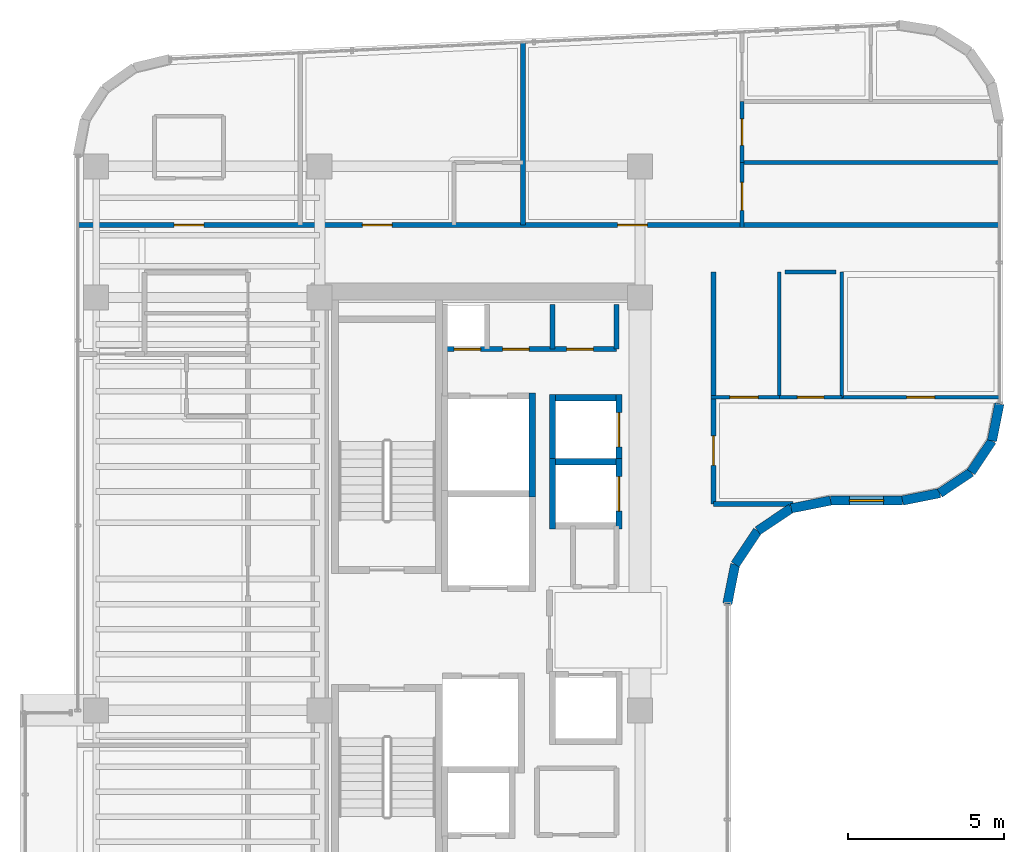
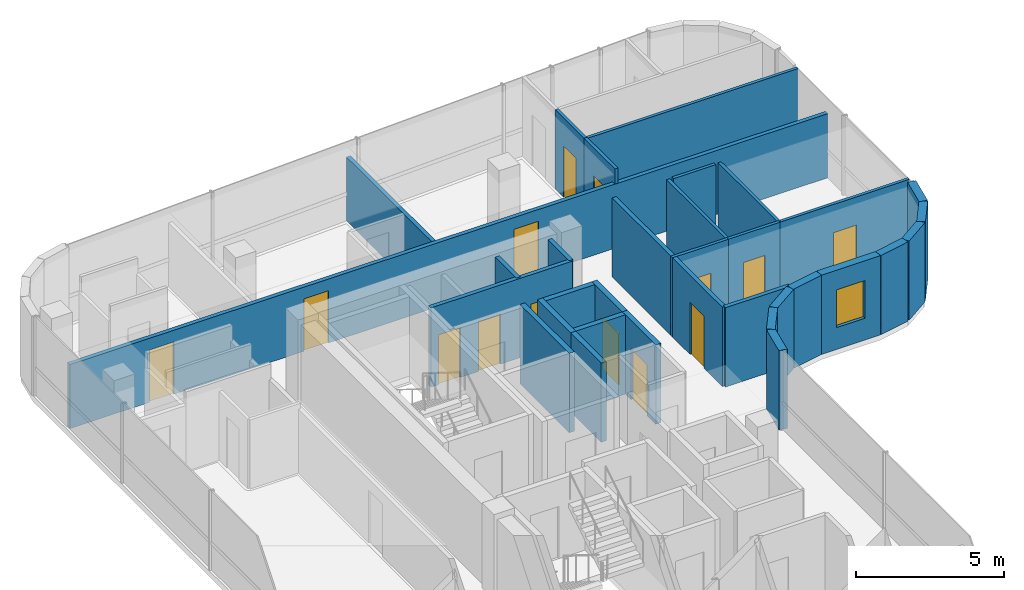
# One storey, part 16 of 19: 32 walls, 14 doors, 1 window, 15 openings.
"""IFC4 building model written with IfcOpenShell, lengths in metres."""

from ifc_helpers import new_model, si_unit, direction, frame, frame_2d, origin, place, context, subcontext, project, spatial, rectangle, extrude, material, layer, layer_set, type_object, element, fill, save


model = new_model("IFC4")

# Units and contexts
model_context = context("Model", 3, precision=1e-05, world=origin(), true_north=direction((0.0, 1.0)))
body_context = subcontext(model_context, "Body", "Model", "MODEL_VIEW")
ifc_project = project(units=[si_unit("LENGTHUNIT", "METRE"), si_unit("AREAUNIT", "SQUARE_METRE"), si_unit("VOLUMEUNIT", "CUBIC_METRE"), si_unit("PLANEANGLEUNIT", "RADIAN"), si_unit("MASSUNIT", "GRAM", prefix="KILO")], contexts=[model_context])

# Site, building, storey
site_placement = place(None, origin())
site = spatial("IfcSite", under=ifc_project, at=site_placement, CompositionType="ELEMENT")
building_placement = place(site_placement, origin())
building = spatial("IfcBuilding", under=site, at=building_placement, Name="Valdorenza Pilgrim Sanctuary Tower", CompositionType="ELEMENT")
storey_placement = place(building_placement, frame((0.0, 0.0, 266.0)))
storey = spatial("IfcBuildingStorey", under=building, at=storey_placement, Name="L69", CompositionType="ELEMENT", Elevation=266.0)

# Wall, openings, doors
ifc_material_1 = material(Name="Acoustic twin-stud gypsum partition", Category="gypsum")
ifc_layer_1 = layer(ifc_material_1, 0.159912109375, Name="Acoustic twin-stud gypsum partition")
ifc_layer_set_1 = layer_set([ifc_layer_1], Name="Acoustic twin-stud gypsum partition")
wall_type_1 = type_object("IfcWallType", Name="WAL-COR-160", PredefinedType="PARTITIONING", material=ifc_layer_set_1)
wall_1_placement = place(storey_placement, frame((-18.64990234375, 8.949951171875, 0.0), z_axis=(0.0, 0.0, 1.0), x_axis=(1.0, 0.0, 0.0)))
wall_1 = element("IfcWall", 1, at=wall_1_placement, inside=storey, type_object=wall_type_1, Name="L69 Core A North Service South Wall", PredefinedType="PARTITIONING", context=body_context, shape_type="SweptSolid", body=[
    extrude(rectangle(XDim=5.5, YDim=0.159912109375, at=frame_2d((2.75, 0.0))), origin(), (0.0, 0.0, 1.0), 3.260009765625),
])
opening_1_placement = place(wall_1_placement, frame((0.300048828125, 0.0, 0.0)))
opening_1 = element("IfcOpeningElement", 2, at=opening_1_placement, cuts=wall_1, Name="Opening DR-RS1", PredefinedType="OPENING", context=body_context, shape_type="SweptSolid", body=[
    extrude(rectangle(XDim=0.85009765625, YDim=2.050048828125, at=frame_2d((0.425048828125, 1.02490234375))), frame((0.0, 0.0947265625, 0.0), z_axis=(0.0, -1.0, 0.0), x_axis=(1.0, 0.0, 0.0)), (0.0, 0.0, 1.0), 0.189697265625),
])
opening_2_placement = place(wall_1_placement, frame((1.85009765625, 0.0, 0.0)))
opening_2 = element("IfcOpeningElement", 3, at=opening_2_placement, cuts=wall_1, Name="Opening DR-RS1", PredefinedType="OPENING", context=body_context, shape_type="SweptSolid", body=[
    extrude(rectangle(XDim=0.85009765625, YDim=2.050048828125, at=frame_2d((0.425048828125, 1.02490234375))), frame((0.0, 0.0947265625, 0.0), z_axis=(0.0, -1.0, 0.0), x_axis=(1.0, 0.0, 0.0)), (0.0, 0.0, 1.0), 0.189697265625),
])
opening_3_placement = place(wall_1_placement, frame((3.89990234375, 0.0, 0.0)))
opening_3 = element("IfcOpeningElement", 4, at=opening_3_placement, cuts=wall_1, Name="Opening DR-RS1", PredefinedType="OPENING", context=body_context, shape_type="SweptSolid", body=[
    extrude(rectangle(XDim=0.85009765625, YDim=2.050048828125, at=frame_2d((0.425048828125, 1.02490234375))), frame((0.0, 0.0947265625, 0.0), z_axis=(0.0, -1.0, 0.0), x_axis=(1.0, 0.0, 0.0)), (0.0, 0.0, 1.0), 0.189697265625),
])
ifc_material_2 = material(Name="Painted galvanized steel", Category="steel")
door_type_1 = type_object("IfcDoorType", Name="DR-RSR-850", OperationType="NOTDEFINED", PredefinedType="DOOR", material=ifc_material_2)
door_1_placement = place(opening_1_placement, origin())
door_1 = element("IfcDoor", 5, at=door_1_placement, inside=storey, type_object=door_type_1, Name="L69 Core Electrical and Telecom Riser Door", OperationType="SINGLE_SWING_LEFT", OverallHeight=2.050048828125, OverallWidth=0.85009765625, PredefinedType="DOOR", context=body_context, shape_type="SweptSolid", body=[
    extrude(rectangle(XDim=0.85009765625, YDim=2.050048828125, at=frame_2d((0.425048828125, 1.02490234375))), frame((0.0, 0.02490234375, 0.0), z_axis=(0.0, -1.0, 0.0), x_axis=(1.0, 0.0, 0.0)), (0.0, 0.0, 1.0), 0.050048828125),
])
fill(opening_1, door_1)
door_2_placement = place(opening_2_placement, origin())
door_2 = element("IfcDoor", 6, at=door_2_placement, inside=storey, type_object=door_type_1, Name="L69 Housekeeping and Clean Linen Room Door", OperationType="SINGLE_SWING_RIGHT", OverallHeight=2.050048828125, OverallWidth=0.85009765625, PredefinedType="DOOR", context=body_context, shape_type="SweptSolid", body=[
    extrude(rectangle(XDim=0.85009765625, YDim=2.050048828125, at=frame_2d((0.425048828125, 1.02490234375))), frame((0.0, 0.02490234375, 0.0), z_axis=(0.0, -1.0, 0.0), x_axis=(1.0, 0.0, 0.0)), (0.0, 0.0, 1.0), 0.050048828125),
])
fill(opening_2, door_2)
door_3_placement = place(opening_3_placement, origin())
door_3 = element("IfcDoor", 7, at=door_3_placement, inside=storey, type_object=door_type_1, Name="L69 Guest Ice and Vending Pantry Door", OperationType="SINGLE_SWING_LEFT", OverallHeight=2.050048828125, OverallWidth=0.85009765625, PredefinedType="DOOR", context=body_context, shape_type="SweptSolid", body=[
    extrude(rectangle(XDim=0.85009765625, YDim=2.050048828125, at=frame_2d((0.425048828125, 1.02490234375))), frame((0.0, 0.02490234375, 0.0), z_axis=(0.0, -1.0, 0.0), x_axis=(1.0, 0.0, 0.0)), (0.0, 0.0, 1.0), 0.050048828125),
])
fill(opening_3, door_3)

# Walls
for number, where, z_axis, x_axis, name in (
    (8, (-13.14990234375, 8.949951171875, 0.0), (0.0, 0.0, 1.0), (0.0, 1.0, 0.0), "L69 Core A North Service East Wall"),
    (9, (-15.199951171875, 8.949951171875, 0.0), (0.0, 0.0, 1.0), (0.0, 1.0, 0.0), "L69 Core A Housekeeping Split B"),
):
    element("IfcWall", number, at=place(storey_placement, frame(where, z_axis=z_axis, x_axis=x_axis)), inside=storey, type_object=wall_type_1, Name=name, PredefinedType="PARTITIONING", context=body_context, shape_type="SweptSolid", body=[
        extrude(rectangle(XDim=1.429931640625, YDim=0.159912109375, at=frame_2d((0.71484375, 0.0))), origin(), (0.0, 0.0, 1.0), 3.260009765625),
    ])

# Wall, openings, doors
wall_2_placement = place(storey_placement, frame((-30.389892578125, 12.919921875, 0.0), z_axis=(0.0, 0.0, 1.0), x_axis=(1.0, 0.0, 0.0)))
wall_2 = element("IfcWall", 10, at=wall_2_placement, inside=storey, type_object=wall_type_1, Name="L69 North Corridor Wall", PredefinedType="PARTITIONING", context=body_context, shape_type="SweptSolid", body=[
    extrude(rectangle(XDim=29.47998046875, YDim=0.159912109375, at=frame_2d((14.739990234375, 0.0))), origin(), (0.0, 0.0, 1.0), 2.634033203125),
])
opening_4_placement = place(wall_2_placement, frame((3.0849609375, 0.0, 0.0)))
opening_4 = element("IfcOpeningElement", 11, at=opening_4_placement, cuts=wall_2, Name="Opening DR-UN1", PredefinedType="OPENING", context=body_context, shape_type="SweptSolid", body=[
    extrude(rectangle(XDim=0.949951171875, YDim=2.14990234375, at=frame_2d((0.47509765625, 1.074951171875))), frame((0.0, 0.0947265625, 0.0), z_axis=(0.0, -1.0, 0.0), x_axis=(1.0, 0.0, 0.0)), (0.0, 0.0, 1.0), 0.189697265625),
])
opening_5_placement = place(wall_2_placement, frame((9.10498046875, 0.0, 0.0)))
opening_5 = element("IfcOpeningElement", 12, at=opening_5_placement, cuts=wall_2, Name="Opening DR-UN1", PredefinedType="OPENING", context=body_context, shape_type="SweptSolid", body=[
    extrude(rectangle(XDim=0.949951171875, YDim=2.14990234375, at=frame_2d((0.47509765625, 1.074951171875))), frame((0.0, 0.0947265625, 0.0), z_axis=(0.0, -1.0, 0.0), x_axis=(1.0, 0.0, 0.0)), (0.0, 0.0, 1.0), 0.189697265625),
])
opening_6_placement = place(wall_2_placement, frame((17.27001953125, 0.0, 0.0)))
opening_6 = element("IfcOpeningElement", 13, at=opening_6_placement, cuts=wall_2, Name="Opening DR-UN1", PredefinedType="OPENING", context=body_context, shape_type="SweptSolid", body=[
    extrude(rectangle(XDim=0.949951171875, YDim=2.14990234375, at=frame_2d((0.47509765625, 1.074951171875))), frame((0.0, 0.0947265625, 0.0), z_axis=(0.0, -1.0, 0.0), x_axis=(1.0, 0.0, 0.0)), (0.0, 0.0, 1.0), 0.189697265625),
])
ifc_material_3 = material(Name="Solid-core European oak timber", Category="wood")
door_type_2 = type_object("IfcDoorType", Name="DR-UNIT-950", OperationType="NOTDEFINED", PredefinedType="DOOR", material=ifc_material_3)
door_4_placement = place(opening_4_placement, origin())
door_4 = element("IfcDoor", 14, at=door_4_placement, inside=storey, type_object=door_type_2, Name="L69 North Family Guest Room L69-N1A Entrance Door", OperationType="SINGLE_SWING_RIGHT", OverallHeight=2.14990234375, OverallWidth=0.949951171875, PredefinedType="DOOR", context=body_context, shape_type="SweptSolid", body=[
    extrude(rectangle(XDim=0.949951171875, YDim=2.14990234375, at=frame_2d((0.47509765625, 1.074951171875))), frame((0.0, 0.02490234375, 0.0), z_axis=(0.0, -1.0, 0.0), x_axis=(1.0, 0.0, 0.0)), (0.0, 0.0, 1.0), 0.050048828125),
])
fill(opening_4, door_4)
door_5_placement = place(opening_5_placement, origin())
door_5 = element("IfcDoor", 15, at=door_5_placement, inside=storey, type_object=door_type_2, Name="L69 North Family Guest Room L69-N1B Entrance Door", OperationType="SINGLE_SWING_RIGHT", OverallHeight=2.14990234375, OverallWidth=0.949951171875, PredefinedType="DOOR", context=body_context, shape_type="SweptSolid", body=[
    extrude(rectangle(XDim=0.949951171875, YDim=2.14990234375, at=frame_2d((0.47509765625, 1.074951171875))), frame((0.0, 0.02490234375, 0.0), z_axis=(0.0, -1.0, 0.0), x_axis=(1.0, 0.0, 0.0)), (0.0, 0.0, 1.0), 0.050048828125),
])
fill(opening_5, door_5)
door_6_placement = place(opening_6_placement, origin())
door_6 = element("IfcDoor", 16, at=door_6_placement, inside=storey, type_object=door_type_2, Name="L69 North Family Flat L69-N2 Entrance Door", OperationType="SINGLE_SWING_RIGHT", OverallHeight=2.14990234375, OverallWidth=0.949951171875, PredefinedType="DOOR", context=body_context, shape_type="SweptSolid", body=[
    extrude(rectangle(XDim=0.949951171875, YDim=2.14990234375, at=frame_2d((0.47509765625, 1.074951171875))), frame((0.0, 0.02490234375, 0.0), z_axis=(0.0, -1.0, 0.0), x_axis=(1.0, 0.0, 0.0)), (0.0, 0.0, 1.0), 0.050048828125),
])
fill(opening_6, door_6)

# Wall, opening, door
wall_3_placement = place(storey_placement, frame((-10.050048828125, 4.0, 0.0), z_axis=(0.0, 0.0, 1.0), x_axis=(0.0, 1.0, 0.0)))
wall_3 = element("IfcWall", 17, at=wall_3_placement, inside=storey, type_object=wall_type_1, Name="L69 East Stub Corridor Wall", PredefinedType="PARTITIONING", context=body_context, shape_type="SweptSolid", body=[
    extrude(rectangle(XDim=7.419921875, YDim=0.159912109375, at=frame_2d((3.7099609375, 0.0))), origin(), (0.0, 0.0, 1.0), 3.260009765625),
])
opening_7_placement = place(wall_3_placement, frame((1.23193359375, 0.0, 0.0)))
opening_7 = element("IfcOpeningElement", 18, at=opening_7_placement, cuts=wall_3, Name="Opening DR-UN1", PredefinedType="OPENING", context=body_context, shape_type="SweptSolid", body=[
    extrude(rectangle(XDim=0.949951171875, YDim=2.14990234375, at=frame_2d((0.47509765625, 1.074951171875))), frame((0.0, 0.0947265625, 0.0), z_axis=(0.0, -1.0, 0.0), x_axis=(1.0, 0.0, 0.0)), (0.0, 0.0, 1.0), 0.189697265625),
])
door_7_placement = place(opening_7_placement, frame((0.949951171875, 0.0, 0.0), z_axis=(0.0, 0.0, 1.0), x_axis=(-1.0, 0.0, 0.0)))
door_7 = element("IfcDoor", 19, at=door_7_placement, inside=storey, type_object=door_type_2, Name="L69 East Sanctuary Apartment L69-E1 Entrance Door", OperationType="SINGLE_SWING_LEFT", OverallHeight=2.14990234375, OverallWidth=0.949951171875, PredefinedType="DOOR", context=body_context, shape_type="SweptSolid", body=[
    extrude(rectangle(XDim=0.949951171875, YDim=2.14990234375, at=frame_2d((0.47509765625, 1.074951171875))), frame((0.0, 0.02490234375, 0.0), z_axis=(0.0, -1.0, 0.0), x_axis=(1.0, 0.0, 0.0)), (0.0, 0.0, 1.0), 0.050048828125),
])
fill(opening_7, door_7)

# Walls
wall_4_placement = place(storey_placement, frame((-10.050048828125, 4.0, 0.0), z_axis=(0.0, 0.0, 1.0), x_axis=(1.0, 0.0, 0.0)))
element("IfcWall", 20, at=wall_4_placement, inside=storey, type_object=wall_type_1, Name="L69 East Stub South Wall", PredefinedType="PARTITIONING", context=body_context, shape_type="SweptSolid", body=[
    extrude(rectangle(XDim=2.545654296875, YDim=0.159912109375, at=frame_2d((1.27294921875, 0.0))), origin(), (0.0, 0.0, 1.0), 3.260009765625),
])
ifc_material_4 = material(Name="Honed travertine limestone", Category="masonry")
ifc_layer_2 = layer(ifc_material_4, 0.300048828125, Name="Honed travertine limestone")
ifc_layer_set_2 = layer_set([ifc_layer_2], Name="Honed travertine limestone")
wall_type_2 = type_object("IfcWallType", Name="WAL-EXT-300", PredefinedType="SOLIDWALL", material=ifc_layer_set_2)
wall_5_placement = place(storey_placement, frame((-0.909912109375, 7.210693359375, 0.0), z_axis=(0.0, 0.0, 1.0), x_axis=(-0.195189223115, -0.980765602568, 0.0)))
element("IfcWall", 21, at=wall_5_placement, inside=storey, type_object=wall_type_2, Name="L69 Rounded Wind-Corner Stone Pier 12", PredefinedType="SOLIDWALL", context=body_context, shape_type="SweptSolid", body=[
    extrude(rectangle(XDim=1.2158203125, YDim=0.300048828125, at=frame_2d((0.60791015625, 0.0))), origin(), (0.0, 0.0, 1.0), 3.260009765625),
])
for number, where, z_axis, x_axis, name in (
    (22, (-1.147216796875, 6.018310546875, 0.0), (0.0, 0.0, 1.0), (-0.555635100982, -0.831426265255, 0.0), "L69 Rounded Wind-Corner Stone Pier 13"),
    (23, (-1.816650390625, 5.0166015625, 0.0), (0.0, 0.0, 1.0), (-0.831426265255, -0.555635100982, 0.0), "L69 Rounded Wind-Corner Stone Pier 14"),
):
    element("IfcWall", number, at=place(storey_placement, frame(where, z_axis=z_axis, x_axis=x_axis)), inside=storey, type_object=wall_type_2, Name=name, PredefinedType="SOLIDWALL", context=body_context, shape_type="SweptSolid", body=[
        extrude(rectangle(XDim=1.204833984375, YDim=0.300048828125, at=frame_2d((0.6025390625, 0.0))), origin(), (0.0, 0.0, 1.0), 3.260009765625),
    ])
wall_6_placement = place(storey_placement, frame((-2.818359375, 4.34716796875, 0.0), z_axis=(0.0, 0.0, 1.0), x_axis=(-0.980804027463, -0.194996050505, 0.0)))
element("IfcWall", 24, at=wall_6_placement, inside=storey, type_object=wall_type_2, Name="L69 Rounded Wind-Corner Stone Pier 15", PredefinedType="SOLIDWALL", context=body_context, shape_type="SweptSolid", body=[
    extrude(rectangle(XDim=1.2158203125, YDim=0.300048828125, at=frame_2d((0.60791015625, 0.0))), origin(), (0.0, 0.0, 1.0), 3.260009765625),
])

# Wall, opening, window
wall_7_placement = place(storey_placement, frame((-4.0107421875, 4.110107421875, 0.0), z_axis=(0.0, 0.0, 1.0), x_axis=(-1.0, 0.0, 0.0)))
wall_7 = element("IfcWall", 25, at=wall_7_placement, inside=storey, type_object=wall_type_2, Name="L69 Rounded Wind-Corner Stone Pier 16", PredefinedType="SOLIDWALL", context=body_context, shape_type="SweptSolid", body=[
    extrude(rectangle(XDim=2.300048828125, YDim=0.300048828125, at=frame_2d((1.14990234375, 0.0))), origin(), (0.0, 0.0, 1.0), 3.260009765625),
])
opening_8_placement = place(wall_7_placement, frame((0.60009765625, 0.0, 0.89990234375)))
opening_8 = element("IfcOpeningElement", 26, at=opening_8_placement, cuts=wall_7, Name="Opening WN-CR1", PredefinedType="OPENING", context=body_context, shape_type="SweptSolid", body=[
    extrude(rectangle(XDim=1.10009765625, YDim=1.550048828125, at=frame_2d((0.550048828125, 0.77490234375))), frame((0.0, 0.1650390625, 0.0), z_axis=(0.0, -1.0, 0.0), x_axis=(1.0, 0.0, 0.0)), (0.0, 0.0, 1.0), 0.329833984375),
])
ifc_material_5 = material(Name="Ceramic-fritted low-E IGU glazing", Category="glass")
window_type = type_object("IfcWindowType", Name="WIN-CRN-1200", PartitioningType="SINGLE_PANEL", PredefinedType="WINDOW", material=ifc_material_5)
window_placement = place(opening_8_placement, origin())
window = element("IfcWindow", 27, at=window_placement, inside=storey, type_object=window_type, Name="L69 Rounded Corner Slot Window 16", OverallHeight=1.550048828125, OverallWidth=1.10009765625, PartitioningType="SINGLE_PANEL", PredefinedType="WINDOW", context=body_context, shape_type="SweptSolid", body=[
    extrude(rectangle(XDim=1.10009765625, YDim=1.550048828125, at=frame_2d((0.550048828125, 0.77490234375))), frame((0.0, 0.030029296875, 0.0), z_axis=(0.0, -1.0, 0.0), x_axis=(1.0, 0.0, 0.0)), (0.0, 0.0, 1.0), 0.06005859375),
])
fill(opening_8, window)

# Walls
wall_8_placement = place(storey_placement, frame((-6.310791015625, 4.110107421875, 0.0), z_axis=(0.0, 0.0, 1.0), x_axis=(-0.980778058848, -0.195126623715, 0.0)))
element("IfcWall", 28, at=wall_8_placement, inside=storey, type_object=wall_type_2, Name="L69 Rounded Wind-Corner Stone Pier 17", PredefinedType="SOLIDWALL", context=body_context, shape_type="SweptSolid", body=[
    extrude(rectangle(XDim=1.28125, YDim=0.300048828125, at=frame_2d((0.640625, 0.0))), origin(), (0.0, 0.0, 1.0), 3.260009765625),
])
for number, where, z_axis, x_axis, name in (
    (29, (-7.5673828125, 3.860107421875, 0.0), (0.0, 0.0, 1.0), (-0.831497739511, -0.555528135371, 0.0), "L69 Rounded Wind-Corner Stone Pier 18"),
    (30, (-8.64208984375, 3.14208984375, 0.0), (0.0, 0.0, 1.0), (-0.555528135371, -0.831497739511, 0.0), "L69 Rounded Wind-Corner Stone Pier 19"),
):
    element("IfcWall", number, at=place(storey_placement, frame(where, z_axis=z_axis, x_axis=x_axis)), inside=storey, type_object=wall_type_2, Name=name, PredefinedType="SOLIDWALL", context=body_context, shape_type="SweptSolid", body=[
        extrude(rectangle(XDim=1.29248046875, YDim=0.300048828125, at=frame_2d((0.646240234375, 0.0))), origin(), (0.0, 0.0, 1.0), 3.260009765625),
    ])
wall_9_placement = place(storey_placement, frame((-9.360107421875, 2.0673828125, 0.0), z_axis=(0.0, 0.0, 1.0), x_axis=(-0.195126623715, -0.980778058848, 0.0)))
element("IfcWall", 31, at=wall_9_placement, inside=storey, type_object=wall_type_2, Name="L69 Rounded Wind-Corner Stone Pier 20", PredefinedType="SOLIDWALL", context=body_context, shape_type="SweptSolid", body=[
    extrude(rectangle(XDim=1.28125, YDim=0.300048828125, at=frame_2d((0.640625, 0.0))), origin(), (0.0, 0.0, 1.0), 3.260009765625),
])
ifc_material_6 = material(Name="Moisture-resistant gypsum partition", Category="gypsum")
ifc_layer_3 = layer(ifc_material_6, 0.1201171875, Name="Moisture-resistant gypsum partition")
ifc_layer_set_3 = layer_set([ifc_layer_3], Name="Moisture-resistant gypsum partition")
wall_type_3 = type_object("IfcWallType", Name="WAL-INT-120", PredefinedType="PARTITIONING", material=ifc_layer_set_3)
wall_10_placement = place(storey_placement, frame((-9.1396484375, 14.919921875, 0.0), z_axis=(0.0, 0.0, 1.0), x_axis=(1.0, 0.0, 0.0)))
element("IfcWall", 32, at=wall_10_placement, inside=storey, type_object=wall_type_3, Name="L69 North Family Flat L69-N2 Bath-Kitchen Wall", PredefinedType="PARTITIONING", context=body_context, shape_type="SweptSolid", body=[
    extrude(rectangle(XDim=8.229736328125, YDim=0.1201171875, at=frame_2d((4.11474609375, 0.0))), origin(), (0.0, 0.0, 1.0), 3.260009765625),
])

# Wall, opening, door
wall_11_placement = place(storey_placement, frame((-9.1396484375, 14.919921875, 0.0), z_axis=(0.0, 0.0, 1.0), x_axis=(0.0, 1.0, 0.0)))
wall_11 = element("IfcWall", 33, at=wall_11_placement, inside=storey, type_object=wall_type_3, Name="L69 North Family Flat L69-N2 Bathroom Door Wall", PredefinedType="PARTITIONING", context=body_context, shape_type="SweptSolid", body=[
    extrude(rectangle(XDim=1.9501953125, YDim=0.1201171875, at=frame_2d((0.97509765625, 0.0))), origin(), (0.0, 0.0, 1.0), 3.260009765625),
])
opening_9_placement = place(wall_11_placement, frame((0.550048828125, 0.0, 0.0)))
opening_9 = element("IfcOpeningElement", 34, at=opening_9_placement, cuts=wall_11, Name="Opening DR-WC1", PredefinedType="OPENING", context=body_context, shape_type="SweptSolid", body=[
    extrude(rectangle(XDim=0.85009765625, YDim=2.10009765625, at=frame_2d((0.425048828125, 1.050048828125))), frame((0.0, 0.074951171875, 0.0), z_axis=(0.0, -1.0, 0.0), x_axis=(1.0, 0.0, 0.0)), (0.0, 0.0, 1.0), 0.14990234375),
])
ifc_material_7 = material(Name="Moisture-resistant lacquered timber", Category="wood")
door_type_3 = type_object("IfcDoorType", Name="DR-BATH-850", OperationType="NOTDEFINED", PredefinedType="DOOR", material=ifc_material_7)
door_8_placement = place(opening_9_placement, origin())
door_8 = element("IfcDoor", 35, at=door_8_placement, inside=storey, type_object=door_type_3, Name="L69 North Family Flat L69-N2 Bathroom Door", OperationType="SINGLE_SWING_LEFT", OverallHeight=2.10009765625, OverallWidth=0.85009765625, PredefinedType="DOOR", context=body_context, shape_type="SweptSolid", body=[
    extrude(rectangle(XDim=0.85009765625, YDim=2.10009765625, at=frame_2d((0.425048828125, 1.050048828125))), frame((0.0, 0.02490234375, 0.0), z_axis=(0.0, -1.0, 0.0), x_axis=(1.0, 0.0, 0.0)), (0.0, 0.0, 1.0), 0.050048828125),
])
fill(opening_9, door_8)

wall_12_placement = place(storey_placement, frame((-9.1396484375, 12.840087890625, 0.0), z_axis=(0.0, 0.0, 1.0), x_axis=(0.0, 1.0, 0.0)))
wall_12 = element("IfcWall", 36, at=wall_12_placement, inside=storey, type_object=wall_type_3, Name="L69 North Family Flat L69-N2 Kitchen Door Wall", PredefinedType="PARTITIONING", context=body_context, shape_type="SweptSolid", body=[
    extrude(rectangle(XDim=2.079833984375, YDim=0.1201171875, at=frame_2d((1.0400390625, 0.0))), origin(), (0.0, 0.0, 1.0), 3.260009765625),
])
opening_10_placement = place(wall_12_placement, frame((0.550048828125, 0.0, 0.0)))
opening_10 = element("IfcOpeningElement", 37, at=opening_10_placement, cuts=wall_12, Name="Opening DR-RM1", PredefinedType="OPENING", context=body_context, shape_type="SweptSolid", body=[
    extrude(rectangle(XDim=0.89990234375, YDim=2.10009765625, at=frame_2d((0.449951171875, 1.050048828125))), frame((0.0, 0.074951171875, 0.0), z_axis=(0.0, -1.0, 0.0), x_axis=(1.0, 0.0, 0.0)), (0.0, 0.0, 1.0), 0.14990234375),
])
door_type_4 = type_object("IfcDoorType", Name="DR-ROOM-900", OperationType="NOTDEFINED", PredefinedType="DOOR", material=ifc_material_3)
door_9_placement = place(opening_10_placement, origin())
door_9 = element("IfcDoor", 38, at=door_9_placement, inside=storey, type_object=door_type_4, Name="L69 North Family Flat L69-N2 Kitchen Door", OperationType="SINGLE_SWING_RIGHT", OverallHeight=2.10009765625, OverallWidth=0.89990234375, PredefinedType="DOOR", context=body_context, shape_type="SweptSolid", body=[
    extrude(rectangle(XDim=0.89990234375, YDim=2.10009765625, at=frame_2d((0.449951171875, 1.050048828125))), frame((0.0, 0.02490234375, 0.0), z_axis=(0.0, -1.0, 0.0), x_axis=(1.0, 0.0, 0.0)), (0.0, 0.0, 1.0), 0.050048828125),
])
fill(opening_10, door_9)

# Walls
for number, where, z_axis, x_axis, name in (
    (39, (-7.949951171875, 7.4130859375, 0.0), (0.0, 0.0, 1.0), (0.0, 1.0, 0.0), "L69 East Sanctuary Apartment L69-E1 Bath-Kitchen Wall"),
    (40, (-5.949951171875, 7.4130859375, 0.0), (0.0, 0.0, 1.0), (0.0, 1.0, 0.0), "L69 East Sanctuary Apartment L69-E1 Kitchen-Bedroom Wall"),
):
    element("IfcWall", number, at=place(storey_placement, frame(where, z_axis=z_axis, x_axis=x_axis)), inside=storey, type_object=wall_type_3, Name=name, PredefinedType="PARTITIONING", context=body_context, shape_type="SweptSolid", body=[
        extrude(rectangle(XDim=4.0068359375, YDim=0.1201171875, at=frame_2d((2.00341796875, 0.0))), origin(), (0.0, 0.0, 1.0), 3.260009765625),
    ])

# Wall, opening, door
wall_13_placement = place(storey_placement, frame((-7.949951171875, 7.4130859375, 0.0), z_axis=(0.0, 0.0, 1.0), x_axis=(1.0, 0.0, 0.0)))
wall_13 = element("IfcWall", 41, at=wall_13_placement, inside=storey, type_object=wall_type_3, Name="L69 East Sanctuary Apartment L69-E1 Bathroom Door Wall", PredefinedType="PARTITIONING", context=body_context, shape_type="SweptSolid", body=[
    extrude(rectangle(XDim=2.0, YDim=0.1201171875, at=frame_2d((1.0, 0.0))), origin(), (0.0, 0.0, 1.0), 3.260009765625),
])
opening_11_placement = place(wall_13_placement, frame((0.574951171875, 0.0, 0.0)))
opening_11 = element("IfcOpeningElement", 42, at=opening_11_placement, cuts=wall_13, Name="Opening DR-WC1", PredefinedType="OPENING", context=body_context, shape_type="SweptSolid", body=[
    extrude(rectangle(XDim=0.85009765625, YDim=2.10009765625, at=frame_2d((0.425048828125, 1.050048828125))), frame((0.0, 0.074951171875, 0.0), z_axis=(0.0, -1.0, 0.0), x_axis=(1.0, 0.0, 0.0)), (0.0, 0.0, 1.0), 0.14990234375),
])
door_10_placement = place(opening_11_placement, origin())
door_10 = element("IfcDoor", 43, at=door_10_placement, inside=storey, type_object=door_type_3, Name="L69 East Sanctuary Apartment L69-E1 Bathroom Door", OperationType="SINGLE_SWING_RIGHT", OverallHeight=2.10009765625, OverallWidth=0.85009765625, PredefinedType="DOOR", context=body_context, shape_type="SweptSolid", body=[
    extrude(rectangle(XDim=0.85009765625, YDim=2.10009765625, at=frame_2d((0.425048828125, 1.050048828125))), frame((0.0, 0.02490234375, 0.0), z_axis=(0.0, -1.0, 0.0), x_axis=(1.0, 0.0, 0.0)), (0.0, 0.0, 1.0), 0.050048828125),
])
fill(opening_11, door_10)

wall_14_placement = place(storey_placement, frame((-10.1298828125, 7.4130859375, 0.0), z_axis=(0.0, 0.0, 1.0), x_axis=(1.0, 0.0, 0.0)))
wall_14 = element("IfcWall", 44, at=wall_14_placement, inside=storey, type_object=wall_type_3, Name="L69 East Sanctuary Apartment L69-E1 Kitchen Door Wall", PredefinedType="PARTITIONING", context=body_context, shape_type="SweptSolid", body=[
    extrude(rectangle(XDim=2.179931640625, YDim=0.1201171875, at=frame_2d((1.08984375, 0.0))), origin(), (0.0, 0.0, 1.0), 3.260009765625),
])
opening_12_placement = place(wall_14_placement, frame((0.60009765625, 0.0, 0.0)))
opening_12 = element("IfcOpeningElement", 45, at=opening_12_placement, cuts=wall_14, Name="Opening DR-RM1", PredefinedType="OPENING", context=body_context, shape_type="SweptSolid", body=[
    extrude(rectangle(XDim=0.89990234375, YDim=2.10009765625, at=frame_2d((0.449951171875, 1.050048828125))), frame((0.0, 0.074951171875, 0.0), z_axis=(0.0, -1.0, 0.0), x_axis=(1.0, 0.0, 0.0)), (0.0, 0.0, 1.0), 0.14990234375),
])
door_11_placement = place(opening_12_placement, origin())
door_11 = element("IfcDoor", 46, at=door_11_placement, inside=storey, type_object=door_type_4, Name="L69 East Sanctuary Apartment L69-E1 Kitchen Door", OperationType="SINGLE_SWING_LEFT", OverallHeight=2.10009765625, OverallWidth=0.89990234375, PredefinedType="DOOR", context=body_context, shape_type="SweptSolid", body=[
    extrude(rectangle(XDim=0.89990234375, YDim=2.10009765625, at=frame_2d((0.449951171875, 1.050048828125))), frame((0.0, 0.02490234375, 0.0), z_axis=(0.0, -1.0, 0.0), x_axis=(1.0, 0.0, 0.0)), (0.0, 0.0, 1.0), 0.050048828125),
])
fill(opening_12, door_11)

wall_15_placement = place(storey_placement, frame((-5.949951171875, 7.4130859375, 0.0), z_axis=(0.0, 0.0, 1.0), x_axis=(1.0, 0.0, 0.0)))
wall_15 = element("IfcWall", 47, at=wall_15_placement, inside=storey, type_object=wall_type_3, Name="L69 East Sanctuary Apartment L69-E1 Bedroom Door Wall", PredefinedType="PARTITIONING", context=body_context, shape_type="SweptSolid", body=[
    extrude(rectangle(XDim=5.0400390625, YDim=0.1201171875, at=frame_2d((2.52001953125, 0.0))), origin(), (0.0, 0.0, 1.0), 3.260009765625),
])
opening_13_placement = place(wall_15_placement, frame((2.070068359375, 0.0, 0.0)))
opening_13 = element("IfcOpeningElement", 48, at=opening_13_placement, cuts=wall_15, Name="Opening DR-RM1", PredefinedType="OPENING", context=body_context, shape_type="SweptSolid", body=[
    extrude(rectangle(XDim=0.89990234375, YDim=2.10009765625, at=frame_2d((0.449951171875, 1.050048828125))), frame((0.0, 0.074951171875, 0.0), z_axis=(0.0, -1.0, 0.0), x_axis=(1.0, 0.0, 0.0)), (0.0, 0.0, 1.0), 0.14990234375),
])
door_12_placement = place(opening_13_placement, origin())
door_12 = element("IfcDoor", 49, at=door_12_placement, inside=storey, type_object=door_type_4, Name="L69 East Sanctuary Apartment L69-E1 Bedroom Door", OperationType="SINGLE_SWING_RIGHT", OverallHeight=2.10009765625, OverallWidth=0.89990234375, PredefinedType="DOOR", context=body_context, shape_type="SweptSolid", body=[
    extrude(rectangle(XDim=0.89990234375, YDim=2.10009765625, at=frame_2d((0.449951171875, 1.050048828125))), frame((0.0, 0.02490234375, 0.0), z_axis=(0.0, -1.0, 0.0), x_axis=(1.0, 0.0, 0.0)), (0.0, 0.0, 1.0), 0.050048828125),
])
fill(opening_13, door_12)

# Walls
wall_16_placement = place(storey_placement, frame((-7.77001953125, 11.419921875, 0.0), z_axis=(0.0, 0.0, 1.0), x_axis=(1.0, 0.0, 0.0)))
element("IfcWall", 50, at=wall_16_placement, inside=storey, type_object=wall_type_3, Name="L69 ESTB-S1-BTH Enclosure Wall N", PredefinedType="PARTITIONING", context=body_context, shape_type="SweptSolid", body=[
    extrude(rectangle(XDim=1.64013671875, YDim=0.1201171875, at=frame_2d((0.820068359375, 0.0))), origin(), (0.0, 0.0, 1.0), 3.260009765625),
])
ifc_material_8 = material(Name="Autoclaved aerated concrete blockwork", Category="masonry")
ifc_layer_4 = layer(ifc_material_8, 0.199951171875, Name="Autoclaved aerated concrete blockwork")
ifc_layer_set_4 = layer_set([ifc_layer_4], Name="Autoclaved aerated concrete blockwork")
wall_type_4 = type_object("IfcWallType", Name="WAL-SHF-200", PredefinedType="MOVABLE", material=ifc_layer_set_4)
wall_17_placement = place(storey_placement, frame((-15.85009765625, 4.22509765625, 0.0), z_axis=(0.0, 0.0, 1.0), x_axis=(0.0, 1.0, 0.0)))
element("IfcWall", 51, at=wall_17_placement, inside=storey, type_object=wall_type_4, Name="L69 Lift SVL-01 Hoistway Wall East", PredefinedType="MOVABLE", context=body_context, shape_type="SweptSolid", body=[
    extrude(rectangle(XDim=3.324951171875, YDim=0.199951171875, at=frame_2d((1.66259765625, 0.0))), origin(), (0.0, 0.0, 1.0), 3.260009765625),
])
wall_18_placement = place(storey_placement, frame((-15.199951171875, 3.199951171875, 0.0), z_axis=(0.0, 0.0, 1.0), x_axis=(0.0, 1.0, 0.0)))
element("IfcWall", 52, at=wall_18_placement, inside=storey, type_object=wall_type_4, Name="L69 Lift PL-09 Hoistway Wall West", PredefinedType="MOVABLE", context=body_context, shape_type="SweptSolid", body=[
    extrude(rectangle(XDim=2.25, YDim=0.199951171875, at=frame_2d((1.125, 0.0))), origin(), (0.0, 0.0, 1.0), 3.260009765625),
])

# Wall, opening, door
wall_19_placement = place(storey_placement, frame((-13.080078125, 3.199951171875, 0.0), z_axis=(0.0, 0.0, 1.0), x_axis=(0.0, 1.0, 0.0)))
wall_19 = element("IfcWall", 53, at=wall_19_placement, inside=storey, type_object=wall_type_4, Name="L69 Lift PL-09 Hoistway Wall East", PredefinedType="MOVABLE", context=body_context, shape_type="SweptSolid", body=[
    extrude(rectangle(XDim=2.25, YDim=0.199951171875, at=frame_2d((1.125, 0.0))), origin(), (0.0, 0.0, 1.0), 3.260009765625),
])
opening_14_placement = place(wall_19_placement, frame((0.574951171875, 0.0, 0.0)))
opening_14 = element("IfcOpeningElement", 54, at=opening_14_placement, cuts=wall_19, Name="Opening LD-01", PredefinedType="OPENING", context=body_context, shape_type="SweptSolid", body=[
    extrude(rectangle(XDim=1.10009765625, YDim=2.10009765625, at=frame_2d((0.550048828125, 1.050048828125))), frame((0.0, 0.11474609375, 0.0), z_axis=(0.0, -1.0, 0.0), x_axis=(1.0, 0.0, 0.0)), (0.0, 0.0, 1.0), 0.229736328125),
])
ifc_material_9 = material(Name="Brushed stainless steel Grade 316", Category="steel")
door_type_5 = type_object("IfcDoorType", Name="DR-LFT-1100", OperationType="DOUBLE_DOOR_SLIDING", PredefinedType="DOOR", material=ifc_material_9)
door_13_placement = place(opening_14_placement, origin())
door_13 = element("IfcDoor", 55, at=door_13_placement, inside=storey, type_object=door_type_5, Name="L69 Lift PL-09 Sliding Landing Door", OperationType="DOUBLE_DOOR_SLIDING", OverallHeight=2.10009765625, OverallWidth=1.10009765625, PredefinedType="DOOR", context=body_context, shape_type="SweptSolid", body=[
    extrude(rectangle(XDim=1.10009765625, YDim=2.10009765625, at=frame_2d((0.550048828125, 1.050048828125))), frame((0.0, 0.02490234375, 0.0), z_axis=(0.0, -1.0, 0.0), x_axis=(1.0, 0.0, 0.0)), (0.0, 0.0, 1.0), 0.050048828125),
])
fill(opening_14, door_13)

# Walls
wall_20_placement = place(storey_placement, frame((-15.10009765625, 5.35009765625, 0.0), z_axis=(0.0, 0.0, 1.0), x_axis=(1.0, 0.0, 0.0)))
element("IfcWall", 56, at=wall_20_placement, inside=storey, type_object=wall_type_4, Name="L69 Lift PL-09 Hoistway Wall North", PredefinedType="MOVABLE", context=body_context, shape_type="SweptSolid", body=[
    extrude(rectangle(XDim=1.920166015625, YDim=0.199951171875, at=frame_2d((0.9599609375, 0.0))), origin(), (0.0, 0.0, 1.0), 3.260009765625),
])
wall_21_placement = place(storey_placement, frame((-15.199951171875, 5.25, 0.0), z_axis=(0.0, 0.0, 1.0), x_axis=(0.0, 1.0, 0.0)))
element("IfcWall", 57, at=wall_21_placement, inside=storey, type_object=wall_type_4, Name="L69 Lift PL-10 Hoistway Wall West", PredefinedType="MOVABLE", context=body_context, shape_type="SweptSolid", body=[
    extrude(rectangle(XDim=2.25, YDim=0.199951171875, at=frame_2d((1.125, 0.0))), origin(), (0.0, 0.0, 1.0), 3.260009765625),
])

# Wall, opening, door
wall_22_placement = place(storey_placement, frame((-13.080078125, 5.25, 0.0), z_axis=(0.0, 0.0, 1.0), x_axis=(0.0, 1.0, 0.0)))
wall_22 = element("IfcWall", 58, at=wall_22_placement, inside=storey, type_object=wall_type_4, Name="L69 Lift PL-10 Hoistway Wall East", PredefinedType="MOVABLE", context=body_context, shape_type="SweptSolid", body=[
    extrude(rectangle(XDim=2.25, YDim=0.199951171875, at=frame_2d((1.125, 0.0))), origin(), (0.0, 0.0, 1.0), 3.260009765625),
])
opening_15_placement = place(wall_22_placement, frame((0.574951171875, 0.0, 0.0)))
opening_15 = element("IfcOpeningElement", 59, at=opening_15_placement, cuts=wall_22, Name="Opening LD-01", PredefinedType="OPENING", context=body_context, shape_type="SweptSolid", body=[
    extrude(rectangle(XDim=1.10009765625, YDim=2.10009765625, at=frame_2d((0.550048828125, 1.050048828125))), frame((0.0, 0.11474609375, 0.0), z_axis=(0.0, -1.0, 0.0), x_axis=(1.0, 0.0, 0.0)), (0.0, 0.0, 1.0), 0.229736328125),
])
door_14_placement = place(opening_15_placement, origin())
door_14 = element("IfcDoor", 60, at=door_14_placement, inside=storey, type_object=door_type_5, Name="L69 Lift PL-10 Sliding Landing Door", OperationType="DOUBLE_DOOR_SLIDING", OverallHeight=2.10009765625, OverallWidth=1.10009765625, PredefinedType="DOOR", context=body_context, shape_type="SweptSolid", body=[
    extrude(rectangle(XDim=1.10009765625, YDim=2.10009765625, at=frame_2d((0.550048828125, 1.050048828125))), frame((0.0, 0.02490234375, 0.0), z_axis=(0.0, -1.0, 0.0), x_axis=(1.0, 0.0, 0.0)), (0.0, 0.0, 1.0), 0.050048828125),
])
fill(opening_15, door_14)

# Walls
wall_23_placement = place(storey_placement, frame((-15.10009765625, 7.39990234375, 0.0), z_axis=(0.0, 0.0, 1.0), x_axis=(1.0, 0.0, 0.0)))
element("IfcWall", 61, at=wall_23_placement, inside=storey, type_object=wall_type_4, Name="L69 Lift PL-10 Hoistway Wall North", PredefinedType="MOVABLE", context=body_context, shape_type="SweptSolid", body=[
    extrude(rectangle(XDim=1.920166015625, YDim=0.199951171875, at=frame_2d((0.9599609375, 0.0))), origin(), (0.0, 0.0, 1.0), 3.260009765625),
])
ifc_layer_5 = layer(ifc_material_1, 0.14990234375, Name="Acoustic twin-stud gypsum partition")
ifc_layer_set_5 = layer_set([ifc_layer_5], Name="Acoustic twin-stud gypsum partition")
wall_type_5 = type_object("IfcWallType", Name="WAL-UNT-150", PredefinedType="PARTITIONING", material=ifc_layer_set_5)
wall_24_placement = place(storey_placement, frame((-16.14990234375, 12.919921875, 0.0), z_axis=(0.0, 0.0, 1.0), x_axis=(0.0, 1.0, 0.0)))
element("IfcWall", 62, at=wall_24_placement, inside=storey, type_object=wall_type_5, Name="L69 North Flat Demising 1", PredefinedType="PARTITIONING", context=body_context, shape_type="SweptSolid", body=[
    extrude(rectangle(XDim=5.846435546875, YDim=0.14990234375, at=frame_2d((2.92333984375, 0.0))), origin(), (0.0, 0.0, 1.0), 2.623046875),
])

save(model, "model.ifc")
